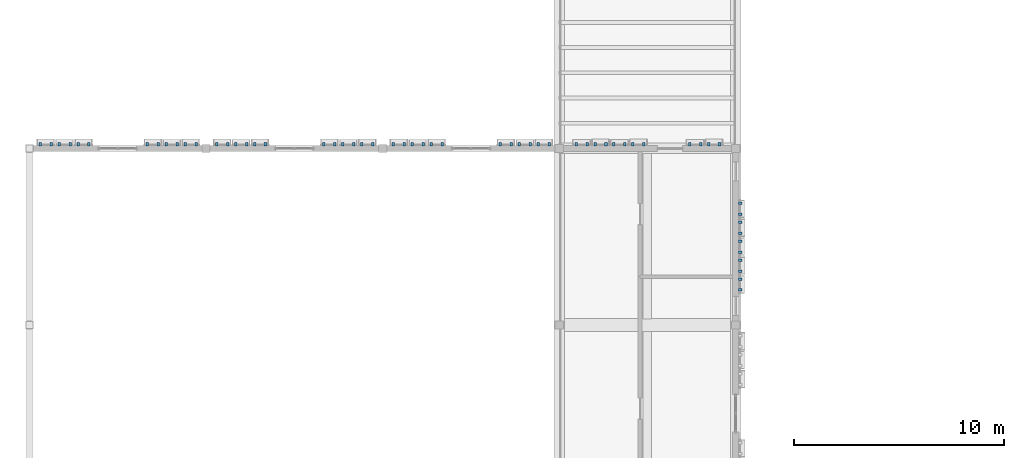
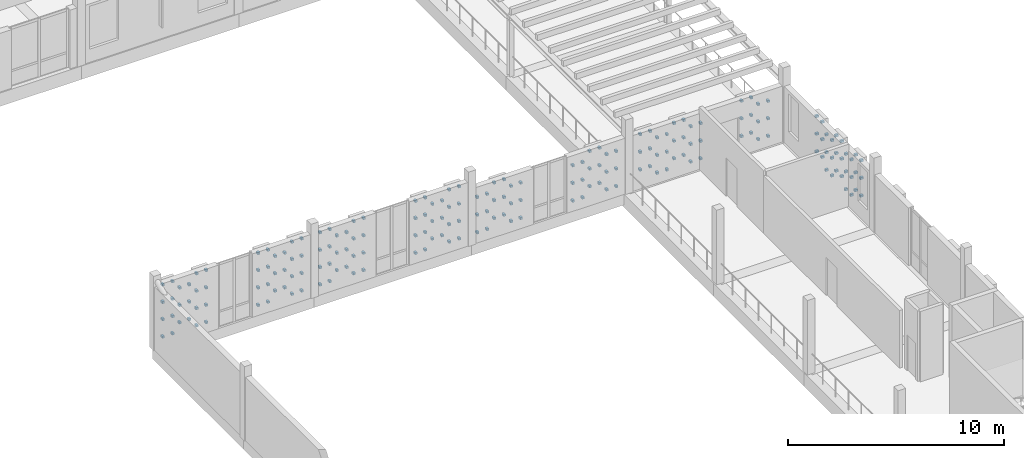
# One storey, part 86 of 99: 190 discrete accessories.
"""IFC4 building model written with IfcOpenShell, lengths in metres."""

from ifc_helpers import new_model, si_unit, direction, frame, origin, origin_2d, place, context, subcontext, project, spatial, rectangle, extrude, material, type_object, element, save


model = new_model("IFC4")

# Units and contexts
model_context = context("Model", 3, precision=1e-05, world=origin(), true_north=direction((0.0, 1.0)))
body_context = subcontext(model_context, "Body", "Model", "MODEL_VIEW")
ifc_project = project(units=[si_unit("LENGTHUNIT", "METRE"), si_unit("AREAUNIT", "SQUARE_METRE"), si_unit("VOLUMEUNIT", "CUBIC_METRE"), si_unit("PLANEANGLEUNIT", "RADIAN"), si_unit("MASSUNIT", "GRAM", prefix="KILO")], contexts=[model_context])

# Site, building, storey
site_placement = place(None, origin())
site = spatial("IfcSite", under=ifc_project, at=site_placement, CompositionType="ELEMENT")
building_placement = place(site_placement, origin())
building = spatial("IfcBuilding", under=site, at=building_placement, Name="Kahlenmark Community Centre", CompositionType="ELEMENT")
storey_placement = place(building_placement, frame((0.0, 0.0, 5.39990234375)))
storey = spatial("IfcBuildingStorey", under=building, at=storey_placement, Name="L01", CompositionType="ELEMENT", Elevation=5.39990234375)

# Discrete accessories
ifc_material = material(Name="Stainless steel 1.4401 rainscreen bracket", Category="steel")
discrete_accessory_type = type_object("IfcDiscreteAccessoryType", Name="DAT-BRACKET-TC", PredefinedType="BRACKET", material=ifc_material)
for number, where, z_axis, x_axis, name in (
    (1, (11.929931640625, 76.2099609375, 0.26513671875), (0.0, 0.0, 1.0), (-1.0, 0.0, 0.0), "Terracotta cassette bracket 0641.1"),
    (2, (11.409912109375, 76.2099609375, 0.26513671875), (0.0, 0.0, 1.0), (-1.0, 0.0, 0.0), "Terracotta cassette bracket 0641.2"),
    (3, (11.929931640625, 76.2099609375, 1.2451171875), (0.0, 0.0, 1.0), (-1.0, 0.0, 0.0), "Terracotta cassette bracket 0643.1"),
    (4, (11.409912109375, 76.2099609375, 1.2451171875), (0.0, 0.0, 1.0), (-1.0, 0.0, 0.0), "Terracotta cassette bracket 0643.2"),
    (5, (11.929931640625, 76.2099609375, 2.22509765625), (0.0, 0.0, 1.0), (-1.0, 0.0, 0.0), "Terracotta cassette bracket 0645.1"),
    (6, (11.409912109375, 76.2099609375, 2.22509765625), (0.0, 0.0, 1.0), (-1.0, 0.0, 0.0), "Terracotta cassette bracket 0645.2"),
    (7, (11.929931640625, 76.2099609375, 3.205078125), (0.0, 0.0, 1.0), (-1.0, 0.0, 0.0), "Terracotta cassette bracket 0647.1"),
    (8, (11.409912109375, 76.2099609375, 3.205078125), (0.0, 0.0, 1.0), (-1.0, 0.0, 0.0), "Terracotta cassette bracket 0647.2"),
    (9, (11.030029296875, 76.2099609375, 0.755126953125), (0.0, 0.0, 1.0), (-1.0, 0.0, 0.0), "Terracotta cassette bracket 0649.1"),
    (10, (10.510009765625, 76.2099609375, 0.755126953125), (0.0, 0.0, 1.0), (-1.0, 0.0, 0.0), "Terracotta cassette bracket 0649.2"),
    (11, (11.030029296875, 76.2099609375, 1.735107421875), (0.0, 0.0, 1.0), (-1.0, 0.0, 0.0), "Terracotta cassette bracket 0651.1"),
    (12, (10.510009765625, 76.2099609375, 1.735107421875), (0.0, 0.0, 1.0), (-1.0, 0.0, 0.0), "Terracotta cassette bracket 0651.2"),
    (13, (11.030029296875, 76.2099609375, 2.715087890625), (0.0, 0.0, 1.0), (-1.0, 0.0, 0.0), "Terracotta cassette bracket 0653.1"),
    (14, (10.510009765625, 76.2099609375, 2.715087890625), (0.0, 0.0, 1.0), (-1.0, 0.0, 0.0), "Terracotta cassette bracket 0653.2"),
    (15, (10.1298828125, 76.2099609375, 0.26513671875), (0.0, 0.0, 1.0), (-1.0, 0.0, 0.0), "Terracotta cassette bracket 0655.1"),
    (16, (9.610107421875, 76.2099609375, 0.26513671875), (0.0, 0.0, 1.0), (-1.0, 0.0, 0.0), "Terracotta cassette bracket 0655.2"),
    (17, (10.1298828125, 76.2099609375, 1.2451171875), (0.0, 0.0, 1.0), (-1.0, 0.0, 0.0), "Terracotta cassette bracket 0657.1"),
    (18, (9.610107421875, 76.2099609375, 1.2451171875), (0.0, 0.0, 1.0), (-1.0, 0.0, 0.0), "Terracotta cassette bracket 0657.2"),
    (19, (10.1298828125, 76.2099609375, 2.22509765625), (0.0, 0.0, 1.0), (-1.0, 0.0, 0.0), "Terracotta cassette bracket 0659.1"),
    (20, (9.610107421875, 76.2099609375, 2.22509765625), (0.0, 0.0, 1.0), (-1.0, 0.0, 0.0), "Terracotta cassette bracket 0659.2"),
    (21, (10.1298828125, 76.2099609375, 3.205078125), (0.0, 0.0, 1.0), (-1.0, 0.0, 0.0), "Terracotta cassette bracket 0661.1"),
    (22, (9.610107421875, 76.2099609375, 3.205078125), (0.0, 0.0, 1.0), (-1.0, 0.0, 0.0), "Terracotta cassette bracket 0661.2"),
    (23, (6.830078125, 76.2099609375, 0.26513671875), (0.0, 0.0, 1.0), (-1.0, 0.0, 0.0), "Terracotta cassette bracket 0662.1"),
    (24, (6.31005859375, 76.2099609375, 0.26513671875), (0.0, 0.0, 1.0), (-1.0, 0.0, 0.0), "Terracotta cassette bracket 0662.2"),
    (25, (6.830078125, 76.2099609375, 1.2451171875), (0.0, 0.0, 1.0), (-1.0, 0.0, 0.0), "Terracotta cassette bracket 0664.1"),
    (26, (6.31005859375, 76.2099609375, 1.2451171875), (0.0, 0.0, 1.0), (-1.0, 0.0, 0.0), "Terracotta cassette bracket 0664.2"),
    (27, (6.830078125, 76.2099609375, 2.22509765625), (0.0, 0.0, 1.0), (-1.0, 0.0, 0.0), "Terracotta cassette bracket 0666.1"),
    (28, (6.31005859375, 76.2099609375, 2.22509765625), (0.0, 0.0, 1.0), (-1.0, 0.0, 0.0), "Terracotta cassette bracket 0666.2"),
    (29, (6.830078125, 76.2099609375, 3.205078125), (0.0, 0.0, 1.0), (-1.0, 0.0, 0.0), "Terracotta cassette bracket 0668.1"),
    (30, (6.31005859375, 76.2099609375, 3.205078125), (0.0, 0.0, 1.0), (-1.0, 0.0, 0.0), "Terracotta cassette bracket 0668.2"),
    (31, (5.929931640625, 76.2099609375, 0.755126953125), (0.0, 0.0, 1.0), (-1.0, 0.0, 0.0), "Terracotta cassette bracket 0670.1"),
    (32, (5.409912109375, 76.2099609375, 0.755126953125), (0.0, 0.0, 1.0), (-1.0, 0.0, 0.0), "Terracotta cassette bracket 0670.2"),
    (33, (5.929931640625, 76.2099609375, 1.735107421875), (0.0, 0.0, 1.0), (-1.0, 0.0, 0.0), "Terracotta cassette bracket 0672.1"),
    (34, (5.409912109375, 76.2099609375, 1.735107421875), (0.0, 0.0, 1.0), (-1.0, 0.0, 0.0), "Terracotta cassette bracket 0672.2"),
    (35, (5.929931640625, 76.2099609375, 2.715087890625), (0.0, 0.0, 1.0), (-1.0, 0.0, 0.0), "Terracotta cassette bracket 0674.1"),
    (36, (5.409912109375, 76.2099609375, 2.715087890625), (0.0, 0.0, 1.0), (-1.0, 0.0, 0.0), "Terracotta cassette bracket 0674.2"),
    (37, (5.030029296875, 76.2099609375, 0.26513671875), (0.0, 0.0, 1.0), (-1.0, 0.0, 0.0), "Terracotta cassette bracket 0676.1"),
    (38, (4.510009765625, 76.2099609375, 0.26513671875), (0.0, 0.0, 1.0), (-1.0, 0.0, 0.0), "Terracotta cassette bracket 0676.2"),
    (39, (5.030029296875, 76.2099609375, 1.2451171875), (0.0, 0.0, 1.0), (-1.0, 0.0, 0.0), "Terracotta cassette bracket 0678.1"),
    (40, (4.510009765625, 76.2099609375, 1.2451171875), (0.0, 0.0, 1.0), (-1.0, 0.0, 0.0), "Terracotta cassette bracket 0678.2"),
    (41, (5.030029296875, 76.2099609375, 2.22509765625), (0.0, 0.0, 1.0), (-1.0, 0.0, 0.0), "Terracotta cassette bracket 0680.1"),
    (42, (4.510009765625, 76.2099609375, 2.22509765625), (0.0, 0.0, 1.0), (-1.0, 0.0, 0.0), "Terracotta cassette bracket 0680.2"),
    (43, (5.030029296875, 76.2099609375, 3.205078125), (0.0, 0.0, 1.0), (-1.0, 0.0, 0.0), "Terracotta cassette bracket 0682.1"),
    (44, (4.510009765625, 76.2099609375, 3.205078125), (0.0, 0.0, 1.0), (-1.0, 0.0, 0.0), "Terracotta cassette bracket 0682.2"),
    (45, (20.330078125, 76.2099609375, 0.26513671875), (0.0, 0.0, 1.0), (-1.0, 0.0, 0.0), "Terracotta cassette bracket 0683.1"),
    (46, (19.81005859375, 76.2099609375, 0.26513671875), (0.0, 0.0, 1.0), (-1.0, 0.0, 0.0), "Terracotta cassette bracket 0683.2"),
    (47, (20.330078125, 76.2099609375, 1.2451171875), (0.0, 0.0, 1.0), (-1.0, 0.0, 0.0), "Terracotta cassette bracket 0685.1"),
    (48, (19.81005859375, 76.2099609375, 1.2451171875), (0.0, 0.0, 1.0), (-1.0, 0.0, 0.0), "Terracotta cassette bracket 0685.2"),
    (49, (20.330078125, 76.2099609375, 2.22509765625), (0.0, 0.0, 1.0), (-1.0, 0.0, 0.0), "Terracotta cassette bracket 0687.1"),
    (50, (19.81005859375, 76.2099609375, 2.22509765625), (0.0, 0.0, 1.0), (-1.0, 0.0, 0.0), "Terracotta cassette bracket 0687.2"),
    (51, (20.330078125, 76.2099609375, 3.205078125), (0.0, 0.0, 1.0), (-1.0, 0.0, 0.0), "Terracotta cassette bracket 0689.1"),
    (52, (19.81005859375, 76.2099609375, 3.205078125), (0.0, 0.0, 1.0), (-1.0, 0.0, 0.0), "Terracotta cassette bracket 0689.2"),
    (53, (19.429931640625, 76.2099609375, 0.755126953125), (0.0, 0.0, 1.0), (-1.0, 0.0, 0.0), "Terracotta cassette bracket 0691.1"),
    (54, (18.909912109375, 76.2099609375, 0.755126953125), (0.0, 0.0, 1.0), (-1.0, 0.0, 0.0), "Terracotta cassette bracket 0691.2"),
    (55, (19.429931640625, 76.2099609375, 1.735107421875), (0.0, 0.0, 1.0), (-1.0, 0.0, 0.0), "Terracotta cassette bracket 0693.1"),
    (56, (18.909912109375, 76.2099609375, 1.735107421875), (0.0, 0.0, 1.0), (-1.0, 0.0, 0.0), "Terracotta cassette bracket 0693.2"),
    (57, (19.429931640625, 76.2099609375, 2.715087890625), (0.0, 0.0, 1.0), (-1.0, 0.0, 0.0), "Terracotta cassette bracket 0695.1"),
    (58, (18.909912109375, 76.2099609375, 2.715087890625), (0.0, 0.0, 1.0), (-1.0, 0.0, 0.0), "Terracotta cassette bracket 0695.2"),
    (59, (18.530029296875, 76.2099609375, 0.26513671875), (0.0, 0.0, 1.0), (-1.0, 0.0, 0.0), "Terracotta cassette bracket 0697.1"),
    (60, (18.010009765625, 76.2099609375, 0.26513671875), (0.0, 0.0, 1.0), (-1.0, 0.0, 0.0), "Terracotta cassette bracket 0697.2"),
    (61, (18.530029296875, 76.2099609375, 1.2451171875), (0.0, 0.0, 1.0), (-1.0, 0.0, 0.0), "Terracotta cassette bracket 0699.1"),
    (62, (18.010009765625, 76.2099609375, 1.2451171875), (0.0, 0.0, 1.0), (-1.0, 0.0, 0.0), "Terracotta cassette bracket 0699.2"),
    (63, (18.530029296875, 76.2099609375, 2.22509765625), (0.0, 0.0, 1.0), (-1.0, 0.0, 0.0), "Terracotta cassette bracket 0701.1"),
    (64, (18.010009765625, 76.2099609375, 2.22509765625), (0.0, 0.0, 1.0), (-1.0, 0.0, 0.0), "Terracotta cassette bracket 0701.2"),
    (65, (18.530029296875, 76.2099609375, 3.205078125), (0.0, 0.0, 1.0), (-1.0, 0.0, 0.0), "Terracotta cassette bracket 0703.1"),
    (66, (18.010009765625, 76.2099609375, 3.205078125), (0.0, 0.0, 1.0), (-1.0, 0.0, 0.0), "Terracotta cassette bracket 0703.2"),
    (67, (15.22998046875, 76.2099609375, 0.26513671875), (0.0, 0.0, 1.0), (-1.0, 0.0, 0.0), "Terracotta cassette bracket 0704.1"),
    (68, (14.7099609375, 76.2099609375, 0.26513671875), (0.0, 0.0, 1.0), (-1.0, 0.0, 0.0), "Terracotta cassette bracket 0704.2"),
    (69, (15.22998046875, 76.2099609375, 1.2451171875), (0.0, 0.0, 1.0), (-1.0, 0.0, 0.0), "Terracotta cassette bracket 0706.1"),
    (70, (14.7099609375, 76.2099609375, 1.2451171875), (0.0, 0.0, 1.0), (-1.0, 0.0, 0.0), "Terracotta cassette bracket 0706.2"),
    (71, (15.22998046875, 76.2099609375, 2.22509765625), (0.0, 0.0, 1.0), (-1.0, 0.0, 0.0), "Terracotta cassette bracket 0708.1"),
    (72, (14.7099609375, 76.2099609375, 2.22509765625), (0.0, 0.0, 1.0), (-1.0, 0.0, 0.0), "Terracotta cassette bracket 0708.2"),
    (73, (15.22998046875, 76.2099609375, 3.205078125), (0.0, 0.0, 1.0), (-1.0, 0.0, 0.0), "Terracotta cassette bracket 0710.1"),
    (74, (14.7099609375, 76.2099609375, 3.205078125), (0.0, 0.0, 1.0), (-1.0, 0.0, 0.0), "Terracotta cassette bracket 0710.2"),
    (75, (14.330078125, 76.2099609375, 0.755126953125), (0.0, 0.0, 1.0), (-1.0, 0.0, 0.0), "Terracotta cassette bracket 0712.1"),
    (76, (13.81005859375, 76.2099609375, 0.755126953125), (0.0, 0.0, 1.0), (-1.0, 0.0, 0.0), "Terracotta cassette bracket 0712.2"),
    (77, (14.330078125, 76.2099609375, 1.735107421875), (0.0, 0.0, 1.0), (-1.0, 0.0, 0.0), "Terracotta cassette bracket 0714.1"),
    (78, (13.81005859375, 76.2099609375, 1.735107421875), (0.0, 0.0, 1.0), (-1.0, 0.0, 0.0), "Terracotta cassette bracket 0714.2"),
    (79, (14.330078125, 76.2099609375, 2.715087890625), (0.0, 0.0, 1.0), (-1.0, 0.0, 0.0), "Terracotta cassette bracket 0716.1"),
    (80, (13.81005859375, 76.2099609375, 2.715087890625), (0.0, 0.0, 1.0), (-1.0, 0.0, 0.0), "Terracotta cassette bracket 0716.2"),
    (81, (13.429931640625, 76.2099609375, 0.26513671875), (0.0, 0.0, 1.0), (-1.0, 0.0, 0.0), "Terracotta cassette bracket 0718.1"),
    (82, (12.909912109375, 76.2099609375, 0.26513671875), (0.0, 0.0, 1.0), (-1.0, 0.0, 0.0), "Terracotta cassette bracket 0718.2"),
    (83, (13.429931640625, 76.2099609375, 1.2451171875), (0.0, 0.0, 1.0), (-1.0, 0.0, 0.0), "Terracotta cassette bracket 0720.1"),
    (84, (12.909912109375, 76.2099609375, 1.2451171875), (0.0, 0.0, 1.0), (-1.0, 0.0, 0.0), "Terracotta cassette bracket 0720.2"),
    (85, (13.429931640625, 76.2099609375, 2.22509765625), (0.0, 0.0, 1.0), (-1.0, 0.0, 0.0), "Terracotta cassette bracket 0722.1"),
    (86, (12.909912109375, 76.2099609375, 2.22509765625), (0.0, 0.0, 1.0), (-1.0, 0.0, 0.0), "Terracotta cassette bracket 0722.2"),
    (87, (13.429931640625, 76.2099609375, 3.205078125), (0.0, 0.0, 1.0), (-1.0, 0.0, 0.0), "Terracotta cassette bracket 0724.1"),
    (88, (12.909912109375, 76.2099609375, 3.205078125), (0.0, 0.0, 1.0), (-1.0, 0.0, 0.0), "Terracotta cassette bracket 0724.2"),
    (89, (28.72998046875, 76.2099609375, 0.26904296875), (0.0, 0.0, 1.0), (-1.0, 0.0, 0.0), "Terracotta cassette bracket 0725.1"),
    (90, (28.2099609375, 76.2099609375, 0.26904296875), (0.0, 0.0, 1.0), (-1.0, 0.0, 0.0), "Terracotta cassette bracket 0725.2"),
    (91, (28.72998046875, 76.2099609375, 1.26513671875), (0.0, 0.0, 1.0), (-1.0, 0.0, 0.0), "Terracotta cassette bracket 0727.1"),
    (92, (28.2099609375, 76.2099609375, 1.26513671875), (0.0, 0.0, 1.0), (-1.0, 0.0, 0.0), "Terracotta cassette bracket 0727.2"),
    (93, (28.72998046875, 76.2099609375, 2.260986328125), (0.0, 0.0, 1.0), (-1.0, 0.0, 0.0), "Terracotta cassette bracket 0729.1"),
    (94, (28.2099609375, 76.2099609375, 2.260986328125), (0.0, 0.0, 1.0), (-1.0, 0.0, 0.0), "Terracotta cassette bracket 0729.2"),
    (95, (27.830078125, 76.2099609375, 0.76708984375), (0.0, 0.0, 1.0), (-1.0, 0.0, 0.0), "Terracotta cassette bracket 0732.1"),
    (96, (27.31005859375, 76.2099609375, 0.76708984375), (0.0, 0.0, 1.0), (-1.0, 0.0, 0.0), "Terracotta cassette bracket 0732.2"),
    (97, (27.830078125, 76.2099609375, 1.762939453125), (0.0, 0.0, 1.0), (-1.0, 0.0, 0.0), "Terracotta cassette bracket 0734.1"),
    (98, (27.31005859375, 76.2099609375, 1.762939453125), (0.0, 0.0, 1.0), (-1.0, 0.0, 0.0), "Terracotta cassette bracket 0734.2"),
    (99, (27.830078125, 76.2099609375, 2.759033203125), (0.0, 0.0, 1.0), (-1.0, 0.0, 0.0), "Terracotta cassette bracket 0736.1"),
    (100, (27.31005859375, 76.2099609375, 2.759033203125), (0.0, 0.0, 1.0), (-1.0, 0.0, 0.0), "Terracotta cassette bracket 0736.2"),
    (101, (26.929931640625, 76.2099609375, 0.26904296875), (0.0, 0.0, 1.0), (-1.0, 0.0, 0.0), "Terracotta cassette bracket 0737.1"),
    (102, (26.409912109375, 76.2099609375, 0.26904296875), (0.0, 0.0, 1.0), (-1.0, 0.0, 0.0), "Terracotta cassette bracket 0737.2"),
    (103, (26.929931640625, 76.2099609375, 1.26513671875), (0.0, 0.0, 1.0), (-1.0, 0.0, 0.0), "Terracotta cassette bracket 0739.1"),
    (104, (26.409912109375, 76.2099609375, 1.26513671875), (0.0, 0.0, 1.0), (-1.0, 0.0, 0.0), "Terracotta cassette bracket 0739.2"),
    (105, (26.929931640625, 76.2099609375, 2.260986328125), (0.0, 0.0, 1.0), (-1.0, 0.0, 0.0), "Terracotta cassette bracket 0741.1"),
    (106, (26.409912109375, 76.2099609375, 2.260986328125), (0.0, 0.0, 1.0), (-1.0, 0.0, 0.0), "Terracotta cassette bracket 0741.2"),
    (107, (23.6298828125, 76.2099609375, 0.26904296875), (0.0, 0.0, 1.0), (-1.0, 0.0, 0.0), "Terracotta cassette bracket 0743.1"),
    (108, (23.110107421875, 76.2099609375, 0.26904296875), (0.0, 0.0, 1.0), (-1.0, 0.0, 0.0), "Terracotta cassette bracket 0743.2"),
    (109, (23.6298828125, 76.2099609375, 1.26513671875), (0.0, 0.0, 1.0), (-1.0, 0.0, 0.0), "Terracotta cassette bracket 0745.1"),
    (110, (23.110107421875, 76.2099609375, 1.26513671875), (0.0, 0.0, 1.0), (-1.0, 0.0, 0.0), "Terracotta cassette bracket 0745.2"),
    (111, (23.6298828125, 76.2099609375, 2.260986328125), (0.0, 0.0, 1.0), (-1.0, 0.0, 0.0), "Terracotta cassette bracket 0747.1"),
    (112, (23.110107421875, 76.2099609375, 2.260986328125), (0.0, 0.0, 1.0), (-1.0, 0.0, 0.0), "Terracotta cassette bracket 0747.2"),
    (113, (22.72998046875, 76.2099609375, 0.76708984375), (0.0, 0.0, 1.0), (-1.0, 0.0, 0.0), "Terracotta cassette bracket 0750.1"),
    (114, (22.2099609375, 76.2099609375, 0.76708984375), (0.0, 0.0, 1.0), (-1.0, 0.0, 0.0), "Terracotta cassette bracket 0750.2"),
    (115, (22.72998046875, 76.2099609375, 1.762939453125), (0.0, 0.0, 1.0), (-1.0, 0.0, 0.0), "Terracotta cassette bracket 0752.1"),
    (116, (22.2099609375, 76.2099609375, 1.762939453125), (0.0, 0.0, 1.0), (-1.0, 0.0, 0.0), "Terracotta cassette bracket 0752.2"),
    (117, (22.72998046875, 76.2099609375, 2.759033203125), (0.0, 0.0, 1.0), (-1.0, 0.0, 0.0), "Terracotta cassette bracket 0754.1"),
    (118, (22.2099609375, 76.2099609375, 2.759033203125), (0.0, 0.0, 1.0), (-1.0, 0.0, 0.0), "Terracotta cassette bracket 0754.2"),
    (119, (21.830078125, 76.2099609375, 0.26904296875), (0.0, 0.0, 1.0), (-1.0, 0.0, 0.0), "Terracotta cassette bracket 0755.1"),
    (120, (21.31005859375, 76.2099609375, 0.26904296875), (0.0, 0.0, 1.0), (-1.0, 0.0, 0.0), "Terracotta cassette bracket 0755.2"),
    (121, (21.830078125, 76.2099609375, 1.26513671875), (0.0, 0.0, 1.0), (-1.0, 0.0, 0.0), "Terracotta cassette bracket 0757.1"),
    (122, (21.31005859375, 76.2099609375, 1.26513671875), (0.0, 0.0, 1.0), (-1.0, 0.0, 0.0), "Terracotta cassette bracket 0757.2"),
    (123, (21.830078125, 76.2099609375, 2.260986328125), (0.0, 0.0, 1.0), (-1.0, 0.0, 0.0), "Terracotta cassette bracket 0759.1"),
    (124, (21.31005859375, 76.2099609375, 2.260986328125), (0.0, 0.0, 1.0), (-1.0, 0.0, 0.0), "Terracotta cassette bracket 0759.2"),
    (125, (36.830078125, 76.2099609375, 0.26904296875), (0.0, 0.0, 1.0), (-1.0, 0.0, 0.0), "Terracotta cassette bracket 0761.1"),
    (126, (36.31005859375, 76.2099609375, 0.26904296875), (0.0, 0.0, 1.0), (-1.0, 0.0, 0.0), "Terracotta cassette bracket 0761.2"),
    (127, (36.830078125, 76.2099609375, 1.26513671875), (0.0, 0.0, 1.0), (-1.0, 0.0, 0.0), "Terracotta cassette bracket 0763.1"),
    (128, (36.31005859375, 76.2099609375, 1.26513671875), (0.0, 0.0, 1.0), (-1.0, 0.0, 0.0), "Terracotta cassette bracket 0763.2"),
    (129, (36.830078125, 76.2099609375, 2.260986328125), (0.0, 0.0, 1.0), (-1.0, 0.0, 0.0), "Terracotta cassette bracket 0765.1"),
    (130, (36.31005859375, 76.2099609375, 2.260986328125), (0.0, 0.0, 1.0), (-1.0, 0.0, 0.0), "Terracotta cassette bracket 0765.2"),
    (131, (35.929931640625, 76.2099609375, 0.76708984375), (0.0, 0.0, 1.0), (-1.0, 0.0, 0.0), "Terracotta cassette bracket 0768.1"),
    (132, (35.409912109375, 76.2099609375, 0.76708984375), (0.0, 0.0, 1.0), (-1.0, 0.0, 0.0), "Terracotta cassette bracket 0768.2"),
    (133, (35.929931640625, 76.2099609375, 1.762939453125), (0.0, 0.0, 1.0), (-1.0, 0.0, 0.0), "Terracotta cassette bracket 0770.1"),
    (134, (35.409912109375, 76.2099609375, 1.762939453125), (0.0, 0.0, 1.0), (-1.0, 0.0, 0.0), "Terracotta cassette bracket 0770.2"),
    (135, (35.929931640625, 76.2099609375, 2.759033203125), (0.0, 0.0, 1.0), (-1.0, 0.0, 0.0), "Terracotta cassette bracket 0772.1"),
    (136, (35.409912109375, 76.2099609375, 2.759033203125), (0.0, 0.0, 1.0), (-1.0, 0.0, 0.0), "Terracotta cassette bracket 0772.2"),
    (137, (33.22998046875, 76.2099609375, 0.26904296875), (0.0, 0.0, 1.0), (-1.0, 0.0, 0.0), "Terracotta cassette bracket 0773.1"),
    (138, (32.7099609375, 76.2099609375, 0.26904296875), (0.0, 0.0, 1.0), (-1.0, 0.0, 0.0), "Terracotta cassette bracket 0773.2"),
    (139, (33.22998046875, 76.2099609375, 1.26513671875), (0.0, 0.0, 1.0), (-1.0, 0.0, 0.0), "Terracotta cassette bracket 0775.1"),
    (140, (32.7099609375, 76.2099609375, 1.26513671875), (0.0, 0.0, 1.0), (-1.0, 0.0, 0.0), "Terracotta cassette bracket 0775.2"),
    (141, (33.22998046875, 76.2099609375, 2.260986328125), (0.0, 0.0, 1.0), (-1.0, 0.0, 0.0), "Terracotta cassette bracket 0777.1"),
    (142, (32.7099609375, 76.2099609375, 2.260986328125), (0.0, 0.0, 1.0), (-1.0, 0.0, 0.0), "Terracotta cassette bracket 0777.2"),
    (143, (32.330078125, 76.2099609375, 0.76708984375), (0.0, 0.0, 1.0), (-1.0, 0.0, 0.0), "Terracotta cassette bracket 0780.1"),
    (144, (31.81005859375, 76.2099609375, 0.76708984375), (0.0, 0.0, 1.0), (-1.0, 0.0, 0.0), "Terracotta cassette bracket 0780.2"),
    (145, (32.330078125, 76.2099609375, 1.762939453125), (0.0, 0.0, 1.0), (-1.0, 0.0, 0.0), "Terracotta cassette bracket 0782.1"),
    (146, (31.81005859375, 76.2099609375, 1.762939453125), (0.0, 0.0, 1.0), (-1.0, 0.0, 0.0), "Terracotta cassette bracket 0782.2"),
    (147, (32.330078125, 76.2099609375, 2.759033203125), (0.0, 0.0, 1.0), (-1.0, 0.0, 0.0), "Terracotta cassette bracket 0784.1"),
    (148, (31.81005859375, 76.2099609375, 2.759033203125), (0.0, 0.0, 1.0), (-1.0, 0.0, 0.0), "Terracotta cassette bracket 0784.2"),
    (149, (31.429931640625, 76.2099609375, 0.26904296875), (0.0, 0.0, 1.0), (-1.0, 0.0, 0.0), "Terracotta cassette bracket 0785.1"),
    (150, (30.909912109375, 76.2099609375, 0.26904296875), (0.0, 0.0, 1.0), (-1.0, 0.0, 0.0), "Terracotta cassette bracket 0785.2"),
    (151, (31.429931640625, 76.2099609375, 1.26513671875), (0.0, 0.0, 1.0), (-1.0, 0.0, 0.0), "Terracotta cassette bracket 0787.1"),
    (152, (30.909912109375, 76.2099609375, 1.26513671875), (0.0, 0.0, 1.0), (-1.0, 0.0, 0.0), "Terracotta cassette bracket 0787.2"),
    (153, (31.429931640625, 76.2099609375, 2.260986328125), (0.0, 0.0, 1.0), (-1.0, 0.0, 0.0), "Terracotta cassette bracket 0789.1"),
    (154, (30.909912109375, 76.2099609375, 2.260986328125), (0.0, 0.0, 1.0), (-1.0, 0.0, 0.0), "Terracotta cassette bracket 0789.2"),
    (155, (30.530029296875, 76.2099609375, 0.76708984375), (0.0, 0.0, 1.0), (-1.0, 0.0, 0.0), "Terracotta cassette bracket 0792.1"),
    (156, (30.010009765625, 76.2099609375, 0.76708984375), (0.0, 0.0, 1.0), (-1.0, 0.0, 0.0), "Terracotta cassette bracket 0792.2"),
    (157, (30.530029296875, 76.2099609375, 1.762939453125), (0.0, 0.0, 1.0), (-1.0, 0.0, 0.0), "Terracotta cassette bracket 0794.1"),
    (158, (30.010009765625, 76.2099609375, 1.762939453125), (0.0, 0.0, 1.0), (-1.0, 0.0, 0.0), "Terracotta cassette bracket 0794.2"),
    (159, (30.530029296875, 76.2099609375, 2.759033203125), (0.0, 0.0, 1.0), (-1.0, 0.0, 0.0), "Terracotta cassette bracket 0796.1"),
    (160, (30.010009765625, 76.2099609375, 2.759033203125), (0.0, 0.0, 1.0), (-1.0, 0.0, 0.0), "Terracotta cassette bracket 0796.2"),
    (161, (37.81005859375, 69.27001953125, 0.76708984375), (0.0, 0.0, 1.0), (0.0, 1.0, 0.0), "Terracotta cassette bracket 0906.1"),
    (162, (37.81005859375, 69.7900390625, 0.76708984375), (0.0, 0.0, 1.0), (0.0, 1.0, 0.0), "Terracotta cassette bracket 0906.2"),
    (163, (37.81005859375, 69.27001953125, 1.762939453125), (0.0, 0.0, 1.0), (0.0, 1.0, 0.0), "Terracotta cassette bracket 0908.1"),
    (164, (37.81005859375, 69.7900390625, 1.762939453125), (0.0, 0.0, 1.0), (0.0, 1.0, 0.0), "Terracotta cassette bracket 0908.2"),
    (165, (37.81005859375, 69.27001953125, 2.759033203125), (0.0, 0.0, 1.0), (0.0, 1.0, 0.0), "Terracotta cassette bracket 0910.1"),
    (166, (37.81005859375, 69.7900390625, 2.759033203125), (0.0, 0.0, 1.0), (0.0, 1.0, 0.0), "Terracotta cassette bracket 0910.2"),
    (167, (37.81005859375, 70.169921875, 0.26904296875), (0.0, 0.0, 1.0), (0.0, 1.0, 0.0), "Terracotta cassette bracket 0911.1"),
    (168, (37.81005859375, 70.68994140625, 0.26904296875), (0.0, 0.0, 1.0), (0.0, 1.0, 0.0), "Terracotta cassette bracket 0911.2"),
    (169, (37.81005859375, 70.169921875, 1.26513671875), (0.0, 0.0, 1.0), (0.0, 1.0, 0.0), "Terracotta cassette bracket 0913.1"),
    (170, (37.81005859375, 70.68994140625, 1.26513671875), (0.0, 0.0, 1.0), (0.0, 1.0, 0.0), "Terracotta cassette bracket 0913.2"),
    (171, (37.81005859375, 70.169921875, 2.260986328125), (0.0, 0.0, 1.0), (0.0, 1.0, 0.0), "Terracotta cassette bracket 0915.1"),
    (172, (37.81005859375, 70.68994140625, 2.260986328125), (0.0, 0.0, 1.0), (0.0, 1.0, 0.0), "Terracotta cassette bracket 0915.2"),
    (173, (37.81005859375, 71.070068359375, 0.76708984375), (0.0, 0.0, 1.0), (0.0, 1.0, 0.0), "Terracotta cassette bracket 0918.1"),
    (174, (37.81005859375, 71.590087890625, 0.76708984375), (0.0, 0.0, 1.0), (0.0, 1.0, 0.0), "Terracotta cassette bracket 0918.2"),
    (175, (37.81005859375, 71.070068359375, 1.762939453125), (0.0, 0.0, 1.0), (0.0, 1.0, 0.0), "Terracotta cassette bracket 0920.1"),
    (176, (37.81005859375, 71.590087890625, 1.762939453125), (0.0, 0.0, 1.0), (0.0, 1.0, 0.0), "Terracotta cassette bracket 0920.2"),
    (177, (37.81005859375, 71.070068359375, 2.759033203125), (0.0, 0.0, 1.0), (0.0, 1.0, 0.0), "Terracotta cassette bracket 0922.1"),
    (178, (37.81005859375, 71.590087890625, 2.759033203125), (0.0, 0.0, 1.0), (0.0, 1.0, 0.0), "Terracotta cassette bracket 0922.2"),
    (179, (37.81005859375, 71.969970703125, 0.26904296875), (0.0, 0.0, 1.0), (0.0, 1.0, 0.0), "Terracotta cassette bracket 0923.1"),
    (180, (37.81005859375, 72.489990234375, 0.26904296875), (0.0, 0.0, 1.0), (0.0, 1.0, 0.0), "Terracotta cassette bracket 0923.2"),
    (181, (37.81005859375, 71.969970703125, 1.26513671875), (0.0, 0.0, 1.0), (0.0, 1.0, 0.0), "Terracotta cassette bracket 0925.1"),
    (182, (37.81005859375, 72.489990234375, 1.26513671875), (0.0, 0.0, 1.0), (0.0, 1.0, 0.0), "Terracotta cassette bracket 0925.2"),
    (183, (37.81005859375, 71.969970703125, 2.260986328125), (0.0, 0.0, 1.0), (0.0, 1.0, 0.0), "Terracotta cassette bracket 0927.1"),
    (184, (37.81005859375, 72.489990234375, 2.260986328125), (0.0, 0.0, 1.0), (0.0, 1.0, 0.0), "Terracotta cassette bracket 0927.2"),
    (185, (37.81005859375, 72.8701171875, 0.76708984375), (0.0, 0.0, 1.0), (0.0, 1.0, 0.0), "Terracotta cassette bracket 0930.1"),
    (186, (37.81005859375, 73.389892578125, 0.76708984375), (0.0, 0.0, 1.0), (0.0, 1.0, 0.0), "Terracotta cassette bracket 0930.2"),
    (187, (37.81005859375, 72.8701171875, 1.762939453125), (0.0, 0.0, 1.0), (0.0, 1.0, 0.0), "Terracotta cassette bracket 0932.1"),
    (188, (37.81005859375, 73.389892578125, 1.762939453125), (0.0, 0.0, 1.0), (0.0, 1.0, 0.0), "Terracotta cassette bracket 0932.2"),
    (189, (37.81005859375, 72.8701171875, 2.759033203125), (0.0, 0.0, 1.0), (0.0, 1.0, 0.0), "Terracotta cassette bracket 0934.1"),
    (190, (37.81005859375, 73.389892578125, 2.759033203125), (0.0, 0.0, 1.0), (0.0, 1.0, 0.0), "Terracotta cassette bracket 0934.2"),
):
    element("IfcDiscreteAccessory", number, at=place(storey_placement, frame(where, z_axis=z_axis, x_axis=x_axis)), inside=storey, type_object=discrete_accessory_type, Name=name, PredefinedType="BRACKET", context=body_context, shape_type="SweptSolid", body=[
        extrude(rectangle(XDim=0.1201171875, YDim=0.159912109375, at=origin_2d()), origin(), (0.0, 0.0, 1.0), 0.1201171875),
    ])

save(model, "model.ifc")
